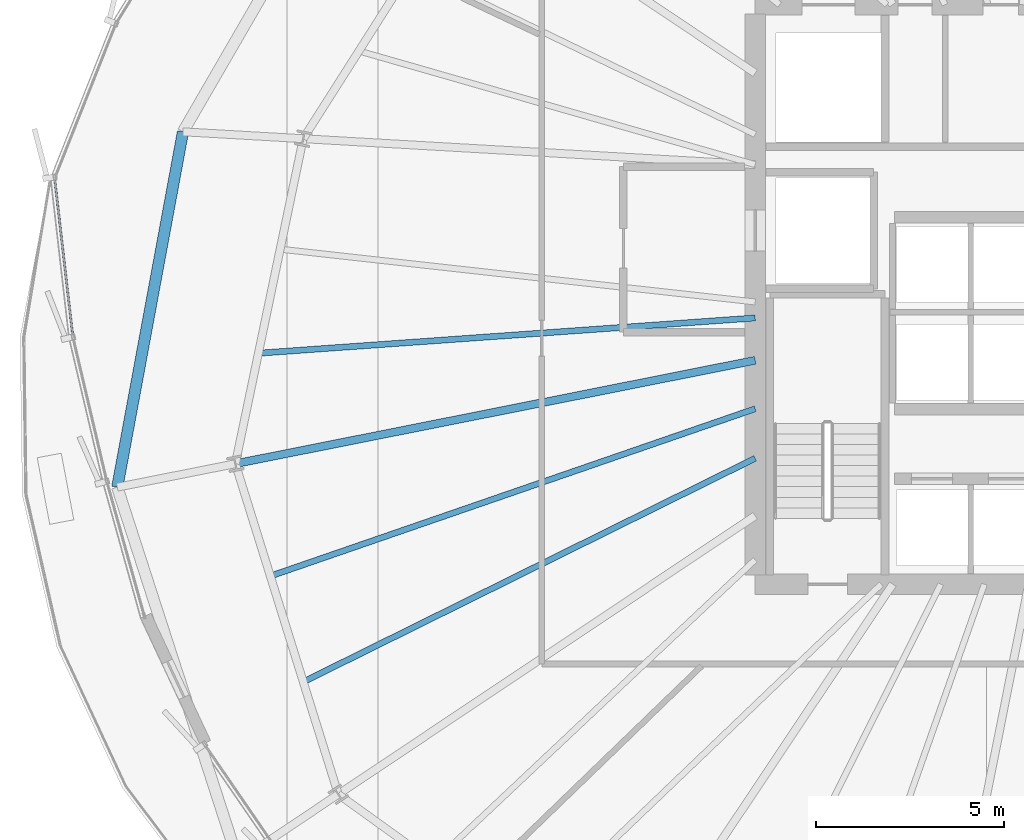
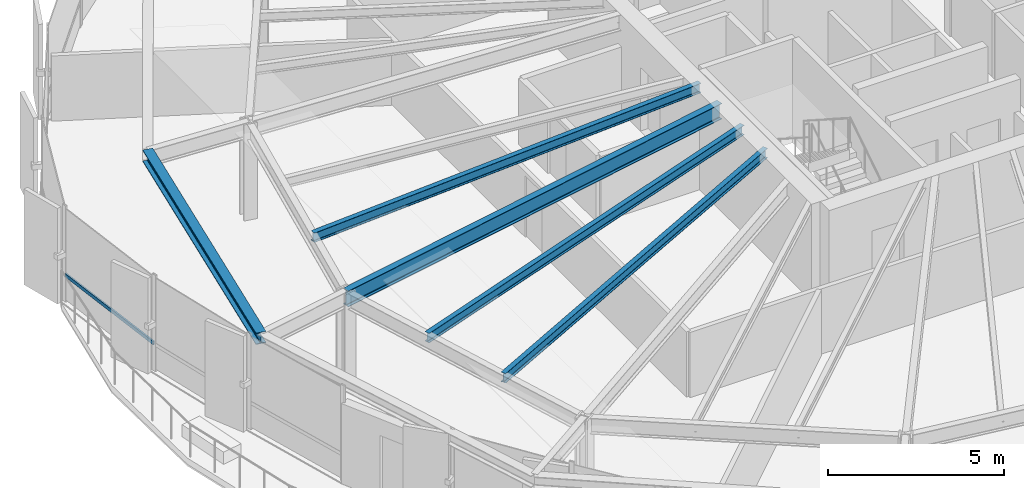
# One storey, part 9 of 33: 5 beams, 1 member, 1 element without a shape of its own.
"""IFC4 building model written with IfcOpenShell, lengths in metres."""

import ifcopenshell
import ifcopenshell.guid

model = None  # the IFC model being written
_history = None  # IfcOwnerHistory: only IFC2X3 demands one
_inside = {}  # id of a spatial element -> (the spatial element, [elements in it])
_under = {}  # id of a project, library or spatial element -> (it, [spatial elements below it])
_declared = {}  # id of a project -> (the project, [libraries it declares])
_typed = {}  # id of a type object -> (the type object, [elements of that type])
_made_of = {}  # id of a material, layer set ... -> (it, [elements and type objects made of it])


def new_model(schema):
    """Start an empty IFC model of exactly this schema.

    Asked for "IFC4X3", IfcOpenShell would pick the latest addendum, in which some entities
    have other attributes; the version numbers below select the first issue.
    IFC2X3 requires an IfcOwnerHistory on every rooted entity: one is made here for all.
    """
    global model, _history
    if schema == "IFC4X3":
        model = ifcopenshell.file(schema_version=(4, 3, 0, 0))
    else:
        model = ifcopenshell.file(schema=schema)
    _inside.clear()
    _under.clear()
    _declared.clear()
    _typed.clear()
    _made_of.clear()
    _history = None
    if model.schema == "IFC2X3":
        org = make("IfcOrganization", Name="unknown")
        user = make(
            "IfcPersonAndOrganization",
            ThePerson=make("IfcPerson", FamilyName="unknown"),
            TheOrganization=org,
        )
        app = make(
            "IfcApplication",
            ApplicationDeveloper=org,
            Version="unknown",
            ApplicationFullName="unknown",
            ApplicationIdentifier="unknown",
        )
        _history = make(
            "IfcOwnerHistory",
            OwningUser=user,
            OwningApplication=app,
            ChangeAction="ADDED",
            CreationDate=0,
        )
    return model


def make(cls, **values):
    """One entity of the class cls with the attributes given. An attribute that is None is left unset."""
    return model.create_entity(
        cls, **{name: value for name, value in values.items() if value is not None}
    )


def rooted(cls, **values):
    """An entity with a GlobalId (a new one), such as an element, a storey or a relation."""
    return make(cls, GlobalId=ifcopenshell.guid.new(), OwnerHistory=_history, **values)


def si_unit(unit_type, name, prefix=None):
    """IfcSIUnit, for example si_unit("LENGTHUNIT", "METRE", prefix="MILLI")."""
    return make("IfcSIUnit", UnitType=unit_type, Prefix=prefix, Name=name)


def assignment(units):
    """IfcUnitAssignment: the units of a project."""
    return None if units is None else make("IfcUnitAssignment", Units=units)


def point(xyz):
    """IfcCartesianPoint."""
    return None if xyz is None else make("IfcCartesianPoint", Coordinates=xyz)


def direction(xyz):
    """IfcDirection."""
    return None if xyz is None else make("IfcDirection", DirectionRatios=xyz)


def frame(location, z_axis=None, x_axis=None):
    """IfcAxis2Placement3D, a coordinate frame: its origin and axes. An axis left out is left unset."""
    return make(
        "IfcAxis2Placement3D",
        Location=point(location),
        Axis=direction(z_axis),
        RefDirection=direction(x_axis),
    )


def frame_2d(location, x_axis=None):
    """IfcAxis2Placement2D, a coordinate frame in the plane: its origin and x axis."""
    return make(
        "IfcAxis2Placement2D", Location=point(location), RefDirection=direction(x_axis)
    )


def origin():
    """The frame at (0, 0, 0) with its axes left unset."""
    return frame((0.0, 0.0, 0.0))


def origin_2d():
    """The frame at (0, 0) in the plane with its x axis left unset."""
    return frame_2d((0.0, 0.0))


def place(relative_to, where):
    """IfcLocalPlacement: puts the frame where relative to a parent placement (None: the world)."""
    return make(
        "IfcLocalPlacement", PlacementRelTo=relative_to, RelativePlacement=where
    )


def context(
    kind, dimensions, precision=None, world=None, true_north=None, identifier=None
):
    """IfcGeometricRepresentationContext, for example the 3D "Model" context."""
    return make(
        "IfcGeometricRepresentationContext",
        ContextIdentifier=identifier,
        ContextType=kind,
        CoordinateSpaceDimension=dimensions,
        Precision=precision,
        WorldCoordinateSystem=world,
        TrueNorth=true_north,
    )


def subcontext(parent, identifier, kind, view, scale=None):
    """IfcGeometricRepresentationSubContext, for example "Body" below "Model"."""
    return make(
        "IfcGeometricRepresentationSubContext",
        ContextIdentifier=identifier,
        ContextType=kind,
        ParentContext=parent,
        TargetScale=scale,
        TargetView=view,
    )


def project(units=None, contexts=None):
    """IfcProject with its units and contexts."""
    return rooted(
        "IfcProject",
        Name="project",
        RepresentationContexts=contexts,
        UnitsInContext=assignment(units),
    )


def spatial(cls, under=None, at=None, **own):
    """A site, building, storey or space (cls), placed at a placement, below another one or the project."""
    s = rooted(cls, ObjectPlacement=at, **own)
    if under is not None:
        _under.setdefault(under.id(), (under, []))[1].append(s)
    return s


def profile(cls, at=None, kind="AREA", **sizes):
    """A parametric profile (cls). Its sizes go by their IFC names, for example OverallWidth=200.0."""
    return make(cls, ProfileType=kind, Position=at, **sizes)


def hollow_rectangle(**sizes):
    """IfcRectangleHollowProfileDef."""
    return profile("IfcRectangleHollowProfileDef", **sizes)


def i_section(**sizes):
    """IfcIShapeProfileDef."""
    return profile("IfcIShapeProfileDef", **sizes)


def extrude(swept, where, along, depth):
    """IfcExtrudedAreaSolid: the profile swept, set in the frame where, extruded along a direction by depth."""
    return make(
        "IfcExtrudedAreaSolid",
        SweptArea=swept,
        Position=where,
        ExtrudedDirection=direction(along),
        Depth=depth,
    )


def shape(context_of_items, identifier, shape_type, items):
    """IfcShapeRepresentation: the items that make up one representation, for example the "Body"."""
    return make(
        "IfcShapeRepresentation",
        ContextOfItems=context_of_items,
        RepresentationIdentifier=identifier,
        RepresentationType=shape_type,
        Items=items,
    )


def source(mapping_origin, context_of_items, identifier, shape_type, items):
    """IfcRepresentationMap: a shape defined once, which mapped items show again and again."""
    return make(
        "IfcRepresentationMap",
        MappingOrigin=mapping_origin,
        MappedRepresentation=shape(context_of_items, identifier, shape_type, items),
    )


def transform(
    local_origin,
    x_axis=None,
    y_axis=None,
    z_axis=None,
    scale=None,
    scale2=None,
    scale3=None,
    uniform=True,
):
    """IfcCartesianTransformationOperator3D, or its non-uniform kind. x_axis, y_axis, z_axis: its Axis1, 2, 3."""
    if uniform:
        return make(
            "IfcCartesianTransformationOperator3D",
            Axis1=direction(x_axis),
            Axis2=direction(y_axis),
            LocalOrigin=point(local_origin),
            Scale=scale,
            Axis3=direction(z_axis),
        )
    return make(
        "IfcCartesianTransformationOperator3DnonUniform",
        Axis1=direction(x_axis),
        Axis2=direction(y_axis),
        LocalOrigin=point(local_origin),
        Scale=scale,
        Axis3=direction(z_axis),
        Scale2=scale2,
        Scale3=scale3,
    )


def mapped(mapping_source, mapping_target):
    """IfcMappedItem: shows the shape of a source again, moved by a transform."""
    return make(
        "IfcMappedItem", MappingSource=mapping_source, MappingTarget=mapping_target
    )


def material(Name=None, Category=None):
    """IfcMaterial."""
    return make("IfcMaterial", Name=Name, Category=Category)


def layer(
    of_material, thickness, ventilated=None, Name=None, Category=None, Priority=None
):
    """IfcMaterialLayer: one layer of a wall or slab, of a material (None: an air gap)."""
    return make(
        "IfcMaterialLayer",
        Material=of_material,
        LayerThickness=thickness,
        IsVentilated=ventilated,
        Name=Name,
        Category=Category,
        Priority=Priority,
    )


def layer_set(layers, Name=None):
    """IfcMaterialLayerSet."""
    return make("IfcMaterialLayerSet", MaterialLayers=layers, LayerSetName=Name)


def material_profile(
    of_material, cross_section, Name=None, Category=None, Priority=None
):
    """IfcMaterialProfile: a cross section and its material."""
    return make(
        "IfcMaterialProfile",
        Name=Name,
        Material=of_material,
        Profile=cross_section,
        Priority=Priority,
        Category=Category,
    )


def profile_set(profiles, Name=None, composite=None):
    """IfcMaterialProfileSet."""
    return make(
        "IfcMaterialProfileSet",
        Name=Name,
        MaterialProfiles=profiles,
        CompositeProfile=composite,
    )


def made_of(thing, what):
    """Note that an element or type object is made of a material, layer set ...; save() writes the relation."""
    if what is not None:
        _made_of.setdefault(what.id(), (what, []))[1].append(thing)
    return thing


def type_object(cls, material=None, **own):
    """A type object (cls), such as IfcWallType, which elements share."""
    return made_of(rooted(cls, **own), material)


def element(
    cls,
    number,
    at=None,
    inside=None,
    cuts=None,
    type_object=None,
    material=None,
    context=None,
    identifier="Body",
    shape_type=None,
    held_by="IfcProductDefinitionShape",
    body=None,
    shapes=None,
    **own,
):
    """One element of the class cls, such as IfcWall. Its Tag is "e" and its number.

    at: its placement. inside: the storey or other place that contains it. cuts: it is an
    opening in that element (IfcRelVoidsElement). A single representation is given by context,
    identifier, shape_type and body (its items); several are given by shapes. held_by: the class
    of the entity that holds the representations. save() writes the other relations.
    """
    e = rooted(cls, Tag="e%d" % number, ObjectPlacement=at, **own)
    if body is not None:
        shapes = [shape(context, identifier, shape_type, body)]
    if shapes is not None:
        e.Representation = make(held_by, Representations=shapes)
    if inside is not None:
        _inside.setdefault(inside.id(), (inside, []))[1].append(e)
    if cuts is not None:
        rooted(
            "IfcRelVoidsElement", RelatingBuildingElement=cuts, RelatedOpeningElement=e
        )
    if type_object is not None:
        _typed.setdefault(type_object.id(), (type_object, []))[1].append(e)
    return made_of(e, material)


def aggregate(whole, parts):
    """IfcRelAggregates: a whole, such as a stair, and the parts it consists of."""
    return rooted("IfcRelAggregates", RelatingObject=whole, RelatedObjects=parts)


def save(model, path):
    """Write the relations noted so far, then the file.

    IfcRelAggregates (storeys below a building ...), IfcRelContainedInSpatialStructure (elements
    in a storey), IfcRelDefinesByType, IfcRelAssociatesMaterial and IfcRelDeclares: one each for
    every whole, place, type object, material and project.
    """
    for whole, parts in _under.values():
        aggregate(whole, parts)
    for where, things in _inside.values():
        rooted(
            "IfcRelContainedInSpatialStructure",
            RelatedElements=things,
            RelatingStructure=where,
        )
    for kind, things in _typed.values():
        rooted("IfcRelDefinesByType", RelatedObjects=things, RelatingType=kind)
    for what, things in _made_of.values():
        rooted("IfcRelAssociatesMaterial", RelatedObjects=things, RelatingMaterial=what)
    for by, libraries in _declared.values():
        rooted("IfcRelDeclares", RelatingContext=by, RelatedDefinitions=libraries)
    model.write(path)


model = new_model("IFC4")

# Units and contexts
model_context = context("Model", 3, precision=1e-05, world=origin(), true_north=direction((0.0, 1.0)))
body_context = subcontext(model_context, "Body", "Model", "MODEL_VIEW")
ifc_project = project(units=[si_unit("LENGTHUNIT", "METRE"), si_unit("AREAUNIT", "SQUARE_METRE"), si_unit("VOLUMEUNIT", "CUBIC_METRE"), si_unit("PLANEANGLEUNIT", "RADIAN"), si_unit("MASSUNIT", "GRAM", prefix="KILO"), si_unit("THERMODYNAMICTEMPERATUREUNIT", "KELVIN")], contexts=[model_context])

# Site, building, storey
site_placement = place(None, origin())
site = spatial("IfcSite", under=ifc_project, at=site_placement, CompositionType="ELEMENT")
building_placement = place(site_placement, origin())
building = spatial("IfcBuilding", under=site, at=building_placement, Name="Kethvar Cultural Tower", CompositionType="ELEMENT")
storey_placement = place(building_placement, frame((0.0, 0.0, 110.800048828125)))
storey = spatial("IfcBuildingStorey", under=building, at=storey_placement, Name="L27", CompositionType="ELEMENT", Elevation=110.800048828125)

# Beams
ifc_material_1 = material(Name="Steel S355J2", Category="steel")
ifc_material_profile_1 = material_profile(ifc_material_1, i_section(OverallWidth=0.2099609375, OverallDepth=0.550048828125, WebThickness=0.010986328125, FlangeThickness=0.01708984375, FilletRadius=0.02392578125, at=origin_2d()), Name="Steel S355J2 — IPE550")
ifc_profile_set_1 = profile_set([ifc_material_profile_1], Name="Steel S355J2 — IPE550")
beam_type_1 = type_object("IfcBeamType", Name="BM-IPE550", PredefinedType="BEAM", material=ifc_profile_set_1)
shared_shape_1 = source(origin(), body_context, "Body", "SweptSolid", [
    extrude(i_section(OverallWidth=0.2099609375, OverallDepth=0.550048828125, WebThickness=0.010986328125, FlangeThickness=0.01708984375, FilletRadius=0.02392578125, at=origin_2d()), origin(), (0.0, 0.0, 1.0), 14.085205078125),
])
beam_1_placement = place(storey_placement, frame((38.0, 26.049560546875, 3.072998046875), z_axis=(-0.98078679373, -0.195082713854, 0.0), x_axis=(0.195082713854, -0.98078679373, 0.0)))
element("IfcBeam", 1, at=beam_1_placement, inside=storey, type_object=beam_type_1, Name="L27 Primary Radial Beam RB-09", PredefinedType="BEAM", context=body_context, shape_type="MappedRepresentation", body=[
    mapped(shared_shape_1, transform((0.0, 0.0, 0.0), scale=1.0)),
])
ifc_material_profile_2 = material_profile(ifc_material_1, i_section(OverallWidth=0.300048828125, OverallDepth=0.39990234375, WebThickness=0.013427734375, FlangeThickness=0.02392578125, FilletRadius=0.027099609375, at=origin_2d()), Name="Steel S355J2 — HEB400")
ifc_profile_set_2 = profile_set([ifc_material_profile_2], Name="Steel S355J2 — HEB400")
beam_type_2 = type_object("IfcBeamType", Name="BM-SP400", PredefinedType="SPANDREL", material=ifc_profile_set_2)
shared_shape_2 = source(origin(), body_context, "Body", "SweptSolid", [
    extrude(i_section(OverallWidth=0.300048828125, OverallDepth=0.39990234375, WebThickness=0.013427734375, FlangeThickness=0.02392578125, FilletRadius=0.027099609375, at=origin_2d()), origin(), (0.0, 0.0, 1.0), 9.605712890625),
])
beam_2_placement = place(storey_placement, frame((22.793701171875, 32.123046875, 3.14794921875), z_axis=(-0.1818526217, -0.983325797476, 0.0), x_axis=(0.983325797476, -0.1818526217, 0.0)))
element("IfcBeam", 2, at=beam_2_placement, inside=storey, type_object=beam_type_2, Name="L27 Perimeter Spandrel Beam SP-08", PredefinedType="SPANDREL", context=body_context, shape_type="MappedRepresentation", body=[
    mapped(shared_shape_2, transform((0.0, 0.0, 0.0), scale=1.0)),
])
ifc_material_profile_3 = material_profile(ifc_material_1, i_section(OverallWidth=0.159912109375, OverallDepth=0.330078125, WebThickness=0.007568359375, FlangeThickness=0.011474609375, FilletRadius=0.01806640625, at=origin_2d()), Name="Steel S355J2 — IPE330")
ifc_profile_set_3 = profile_set([ifc_material_profile_3], Name="Steel S355J2 — IPE330")
beam_type_3 = type_object("IfcBeamType", Name="BM-J330", PredefinedType="JOIST", material=ifc_profile_set_3)
shared_shape_3 = source(origin(), body_context, "Body", "SweptSolid", [
    extrude(i_section(OverallWidth=0.159912109375, OverallDepth=0.330078125, WebThickness=0.007568359375, FlangeThickness=0.011474609375, FilletRadius=0.01806640625, at=origin_2d()), origin(), (0.0, 0.0, 1.0), 13.234619140625),
])
beam_3_placement = place(storey_placement, frame((38.0, 27.175537109375, 3.182861328125), z_axis=(-0.997490530945, -0.070800004767, 0.0), x_axis=(0.070800004767, -0.997490530945, 0.0)))
element("IfcBeam", 3, at=beam_3_placement, inside=storey, type_object=beam_type_3, Name="L27 Composite Floor Joist J-08B", PredefinedType="JOIST", context=body_context, shape_type="MappedRepresentation", body=[
    mapped(shared_shape_3, transform((0.0, 0.0, 0.0), scale=1.0)),
])
shared_shape_4 = source(origin(), body_context, "Body", "SweptSolid", [
    extrude(i_section(OverallWidth=0.159912109375, OverallDepth=0.330078125, WebThickness=0.007568359375, FlangeThickness=0.011474609375, FilletRadius=0.01806640625, at=origin_2d()), origin(), (0.0, 0.0, 1.0), 13.630615234375),
])
beam_4_placement = place(storey_placement, frame((38.0, 24.762451171875, 3.182861328125), z_axis=(-0.945269577646, -0.326290400682, 0.0), x_axis=(0.326290400682, -0.945269577646, 0.0)))
element("IfcBeam", 4, at=beam_4_placement, inside=storey, type_object=beam_type_3, Name="L27 Composite Floor Joist J-09A", PredefinedType="JOIST", context=body_context, shape_type="MappedRepresentation", body=[
    mapped(shared_shape_4, transform((0.0, 0.0, 0.0), scale=1.0)),
])
shared_shape_5 = source(origin(), body_context, "Body", "SweptSolid", [
    extrude(i_section(OverallWidth=0.159912109375, OverallDepth=0.330078125, WebThickness=0.007568359375, FlangeThickness=0.011474609375, FilletRadius=0.01806640625, at=origin_2d()), origin(), (0.0, 0.0, 1.0), 13.39892578125),
])
beam_5_placement = place(storey_placement, frame((38.0, 23.44580078125, 3.182861328125), z_axis=(-0.896292467417, -0.44346342899, 0.0), x_axis=(0.44346342899, -0.896292467417, 0.0)))
element("IfcBeam", 5, at=beam_5_placement, inside=storey, type_object=beam_type_3, Name="L27 Composite Floor Joist J-09B", PredefinedType="JOIST", context=body_context, shape_type="MappedRepresentation", body=[
    mapped(shared_shape_5, transform((0.0, 0.0, 0.0), scale=1.0)),
])

# Curtain wall, member
ifc_material_2 = material(Name="Aluminium 6063-T6", Category="aluminium")
ifc_layer = layer(ifc_material_2, 0.179931640625, Name="Aluminium 6063-T6", Category="aluminium")
ifc_layer_set = layer_set([ifc_layer], Name="Aluminium 6063-T6 (180 mm)")
curtain_wall_type = type_object("IfcCurtainWallType", Name="CW-SYS-03-Z2", PredefinedType="NOTDEFINED", material=ifc_layer_set)
curtain_wall_placement = place(storey_placement, origin())
curtain_wall = element("IfcCurtainWall", 6, at=curtain_wall_placement, inside=storey, type_object=curtain_wall_type, Name="L27 Curtain Wall Run 03", PredefinedType="NOTDEFINED")
ifc_material_profile_4 = material_profile(ifc_material_2, hollow_rectangle(XDim=0.054931640625, YDim=0.1201171875, WallThickness=0.00390625, at=origin_2d()), Name="Aluminium 6063-T6 — RHS120x55x4")
ifc_profile_set_4 = profile_set([ifc_material_profile_4], Name="Aluminium 6063-T6 — RHS120x55x4")
member_type = type_object("IfcMemberType", Name="CW-SYS-03-Z2-TRN", PredefinedType="USERDEFINED", material=ifc_profile_set_4)
shared_shape_6 = source(origin(), body_context, "Body", "SweptSolid", [
    extrude(hollow_rectangle(XDim=0.054931640625, YDim=0.1201171875, WallThickness=0.00390625, at=origin_2d()), origin(), (0.0, 0.0, 1.0), 4.199951171875),
])
member_placement = place(storey_placement, frame((19.384033203125, 30.872314453125, 0.949951171875), z_axis=(0.114284314396, -0.99344808394, 0.0), x_axis=(0.99344808394, 0.114284314396, 0.0)))
member = element("IfcMember", 7, at=member_placement, type_object=member_type, Name="CW-L27-R03 Transom 4", ObjectType="TRANSOM", PredefinedType="USERDEFINED", context=body_context, shape_type="MappedRepresentation", body=[
    mapped(shared_shape_6, transform((0.0, 0.0, 0.0), scale=1.0)),
])
aggregate(curtain_wall, [member])

save(model, "model.ifc")
